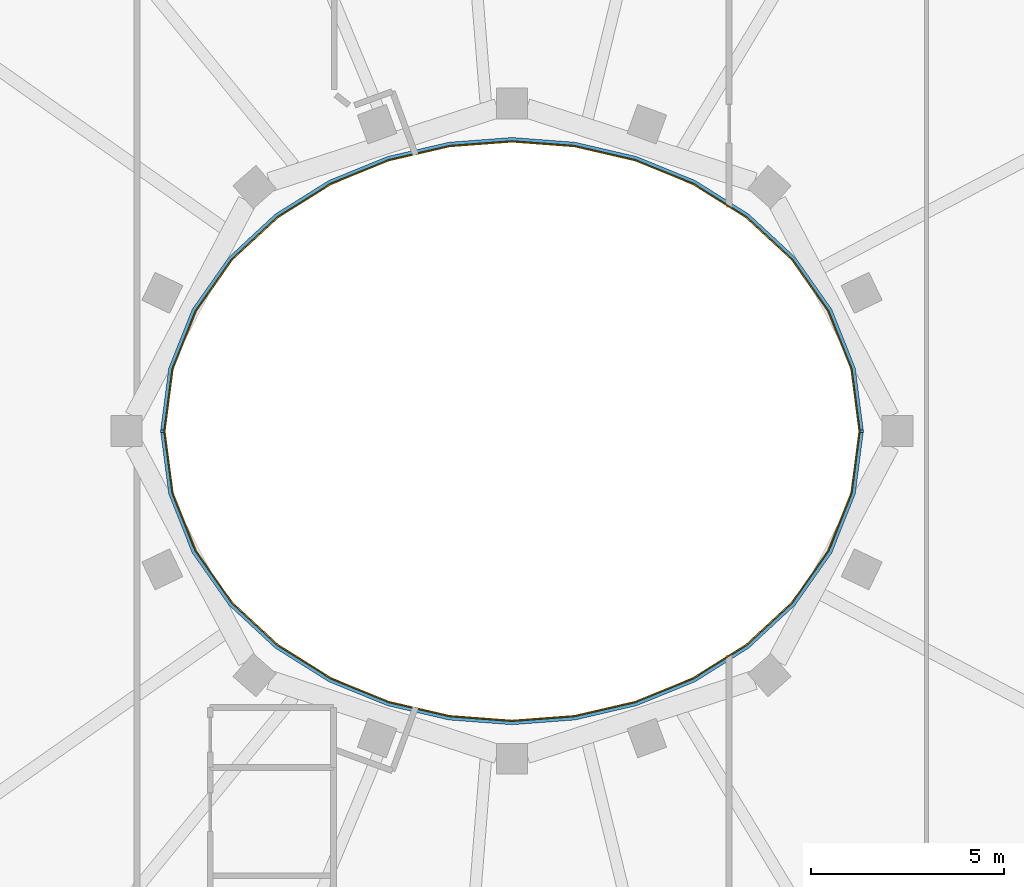
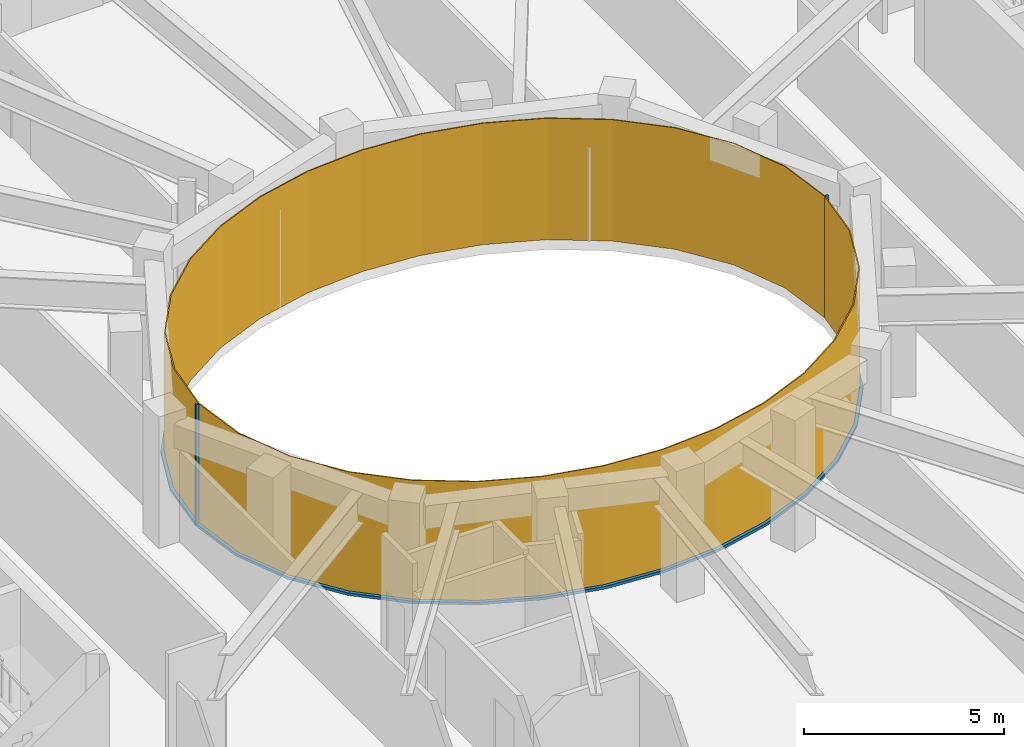
# One storey, part 9 of 13: 4 members, 2 curtain walls.
"""IFC4 building model written with IfcOpenShell, lengths in metres."""

import ifcopenshell
import ifcopenshell.guid

model = None  # the IFC model being written
_history = None  # IfcOwnerHistory: only IFC2X3 demands one
_inside = {}  # id of a spatial element -> (the spatial element, [elements in it])
_under = {}  # id of a project, library or spatial element -> (it, [spatial elements below it])
_declared = {}  # id of a project -> (the project, [libraries it declares])
_typed = {}  # id of a type object -> (the type object, [elements of that type])
_made_of = {}  # id of a material, layer set ... -> (it, [elements and type objects made of it])


def new_model(schema):
    """Start an empty IFC model of exactly this schema.

    Asked for "IFC4X3", IfcOpenShell would pick the latest addendum, in which some entities
    have other attributes; the version numbers below select the first issue.
    IFC2X3 requires an IfcOwnerHistory on every rooted entity: one is made here for all.
    """
    global model, _history
    if schema == "IFC4X3":
        model = ifcopenshell.file(schema_version=(4, 3, 0, 0))
    else:
        model = ifcopenshell.file(schema=schema)
    _inside.clear()
    _under.clear()
    _declared.clear()
    _typed.clear()
    _made_of.clear()
    _history = None
    if model.schema == "IFC2X3":
        org = make("IfcOrganization", Name="unknown")
        user = make(
            "IfcPersonAndOrganization",
            ThePerson=make("IfcPerson", FamilyName="unknown"),
            TheOrganization=org,
        )
        app = make(
            "IfcApplication",
            ApplicationDeveloper=org,
            Version="unknown",
            ApplicationFullName="unknown",
            ApplicationIdentifier="unknown",
        )
        _history = make(
            "IfcOwnerHistory",
            OwningUser=user,
            OwningApplication=app,
            ChangeAction="ADDED",
            CreationDate=0,
        )
    return model


def make(cls, **values):
    """One entity of the class cls with the attributes given. An attribute that is None is left unset."""
    return model.create_entity(
        cls, **{name: value for name, value in values.items() if value is not None}
    )


def rooted(cls, **values):
    """An entity with a GlobalId (a new one), such as an element, a storey or a relation."""
    return make(cls, GlobalId=ifcopenshell.guid.new(), OwnerHistory=_history, **values)


def si_unit(unit_type, name, prefix=None):
    """IfcSIUnit, for example si_unit("LENGTHUNIT", "METRE", prefix="MILLI")."""
    return make("IfcSIUnit", UnitType=unit_type, Prefix=prefix, Name=name)


def assignment(units):
    """IfcUnitAssignment: the units of a project."""
    return None if units is None else make("IfcUnitAssignment", Units=units)


def point(xyz):
    """IfcCartesianPoint."""
    return None if xyz is None else make("IfcCartesianPoint", Coordinates=xyz)


def direction(xyz):
    """IfcDirection."""
    return None if xyz is None else make("IfcDirection", DirectionRatios=xyz)


def frame(location, z_axis=None, x_axis=None):
    """IfcAxis2Placement3D, a coordinate frame: its origin and axes. An axis left out is left unset."""
    return make(
        "IfcAxis2Placement3D",
        Location=point(location),
        Axis=direction(z_axis),
        RefDirection=direction(x_axis),
    )


def frame_2d(location, x_axis=None):
    """IfcAxis2Placement2D, a coordinate frame in the plane: its origin and x axis."""
    return make(
        "IfcAxis2Placement2D", Location=point(location), RefDirection=direction(x_axis)
    )


def origin():
    """The frame at (0, 0, 0) with its axes left unset."""
    return frame((0.0, 0.0, 0.0))


def origin_2d():
    """The frame at (0, 0) in the plane with its x axis left unset."""
    return frame_2d((0.0, 0.0))


def place(relative_to, where):
    """IfcLocalPlacement: puts the frame where relative to a parent placement (None: the world)."""
    return make(
        "IfcLocalPlacement", PlacementRelTo=relative_to, RelativePlacement=where
    )


def context(
    kind, dimensions, precision=None, world=None, true_north=None, identifier=None
):
    """IfcGeometricRepresentationContext, for example the 3D "Model" context."""
    return make(
        "IfcGeometricRepresentationContext",
        ContextIdentifier=identifier,
        ContextType=kind,
        CoordinateSpaceDimension=dimensions,
        Precision=precision,
        WorldCoordinateSystem=world,
        TrueNorth=true_north,
    )


def subcontext(parent, identifier, kind, view, scale=None):
    """IfcGeometricRepresentationSubContext, for example "Body" below "Model"."""
    return make(
        "IfcGeometricRepresentationSubContext",
        ContextIdentifier=identifier,
        ContextType=kind,
        ParentContext=parent,
        TargetScale=scale,
        TargetView=view,
    )


def project(units=None, contexts=None):
    """IfcProject with its units and contexts."""
    return rooted(
        "IfcProject",
        Name="project",
        RepresentationContexts=contexts,
        UnitsInContext=assignment(units),
    )


def spatial(cls, under=None, at=None, **own):
    """A site, building, storey or space (cls), placed at a placement, below another one or the project."""
    s = rooted(cls, ObjectPlacement=at, **own)
    if under is not None:
        _under.setdefault(under.id(), (under, []))[1].append(s)
    return s


def polyline(points):
    """IfcPolyline through the points."""
    return make("IfcPolyline", Points=[point(p) for p in points])


def profile(cls, at=None, kind="AREA", **sizes):
    """A parametric profile (cls). Its sizes go by their IFC names, for example OverallWidth=200.0."""
    return make(cls, ProfileType=kind, Position=at, **sizes)


def rectangle(**sizes):
    """IfcRectangleProfileDef."""
    return profile("IfcRectangleProfileDef", **sizes)


def outline(outer, holes=None, kind="AREA"):
    """IfcArbitraryClosedProfileDef: a profile drawn as a closed curve; with holes, ...WithVoids."""
    if holes is None:
        return make("IfcArbitraryClosedProfileDef", ProfileType=kind, OuterCurve=outer)
    return make(
        "IfcArbitraryProfileDefWithVoids",
        ProfileType=kind,
        OuterCurve=outer,
        InnerCurves=holes,
    )


def extrude(swept, where, along, depth):
    """IfcExtrudedAreaSolid: the profile swept, set in the frame where, extruded along a direction by depth."""
    return make(
        "IfcExtrudedAreaSolid",
        SweptArea=swept,
        Position=where,
        ExtrudedDirection=direction(along),
        Depth=depth,
    )


def shape(context_of_items, identifier, shape_type, items):
    """IfcShapeRepresentation: the items that make up one representation, for example the "Body"."""
    return make(
        "IfcShapeRepresentation",
        ContextOfItems=context_of_items,
        RepresentationIdentifier=identifier,
        RepresentationType=shape_type,
        Items=items,
    )


def material(Name=None, Category=None):
    """IfcMaterial."""
    return make("IfcMaterial", Name=Name, Category=Category)


def layer(
    of_material, thickness, ventilated=None, Name=None, Category=None, Priority=None
):
    """IfcMaterialLayer: one layer of a wall or slab, of a material (None: an air gap)."""
    return make(
        "IfcMaterialLayer",
        Material=of_material,
        LayerThickness=thickness,
        IsVentilated=ventilated,
        Name=Name,
        Category=Category,
        Priority=Priority,
    )


def layer_set(layers, Name=None):
    """IfcMaterialLayerSet."""
    return make("IfcMaterialLayerSet", MaterialLayers=layers, LayerSetName=Name)


def material_profile(
    of_material, cross_section, Name=None, Category=None, Priority=None
):
    """IfcMaterialProfile: a cross section and its material."""
    return make(
        "IfcMaterialProfile",
        Name=Name,
        Material=of_material,
        Profile=cross_section,
        Priority=Priority,
        Category=Category,
    )


def profile_set(profiles, Name=None, composite=None):
    """IfcMaterialProfileSet."""
    return make(
        "IfcMaterialProfileSet",
        Name=Name,
        MaterialProfiles=profiles,
        CompositeProfile=composite,
    )


def made_of(thing, what):
    """Note that an element or type object is made of a material, layer set ...; save() writes the relation."""
    if what is not None:
        _made_of.setdefault(what.id(), (what, []))[1].append(thing)
    return thing


def type_object(cls, material=None, **own):
    """A type object (cls), such as IfcWallType, which elements share."""
    return made_of(rooted(cls, **own), material)


def element(
    cls,
    number,
    at=None,
    inside=None,
    cuts=None,
    type_object=None,
    material=None,
    context=None,
    identifier="Body",
    shape_type=None,
    held_by="IfcProductDefinitionShape",
    body=None,
    shapes=None,
    **own,
):
    """One element of the class cls, such as IfcWall. Its Tag is "e" and its number.

    at: its placement. inside: the storey or other place that contains it. cuts: it is an
    opening in that element (IfcRelVoidsElement). A single representation is given by context,
    identifier, shape_type and body (its items); several are given by shapes. held_by: the class
    of the entity that holds the representations. save() writes the other relations.
    """
    e = rooted(cls, Tag="e%d" % number, ObjectPlacement=at, **own)
    if body is not None:
        shapes = [shape(context, identifier, shape_type, body)]
    if shapes is not None:
        e.Representation = make(held_by, Representations=shapes)
    if inside is not None:
        _inside.setdefault(inside.id(), (inside, []))[1].append(e)
    if cuts is not None:
        rooted(
            "IfcRelVoidsElement", RelatingBuildingElement=cuts, RelatedOpeningElement=e
        )
    if type_object is not None:
        _typed.setdefault(type_object.id(), (type_object, []))[1].append(e)
    return made_of(e, material)


def aggregate(whole, parts):
    """IfcRelAggregates: a whole, such as a stair, and the parts it consists of."""
    return rooted("IfcRelAggregates", RelatingObject=whole, RelatedObjects=parts)


def save(model, path):
    """Write the relations noted so far, then the file.

    IfcRelAggregates (storeys below a building ...), IfcRelContainedInSpatialStructure (elements
    in a storey), IfcRelDefinesByType, IfcRelAssociatesMaterial and IfcRelDeclares: one each for
    every whole, place, type object, material and project.
    """
    for whole, parts in _under.values():
        aggregate(whole, parts)
    for where, things in _inside.values():
        rooted(
            "IfcRelContainedInSpatialStructure",
            RelatedElements=things,
            RelatingStructure=where,
        )
    for kind, things in _typed.values():
        rooted("IfcRelDefinesByType", RelatedObjects=things, RelatingType=kind)
    for what, things in _made_of.values():
        rooted("IfcRelAssociatesMaterial", RelatedObjects=things, RelatingMaterial=what)
    for by, libraries in _declared.values():
        rooted("IfcRelDeclares", RelatingContext=by, RelatedDefinitions=libraries)
    model.write(path)


model = new_model("IFC4")

# Units and contexts
model_context = context("Model", 3, precision=1e-05, world=origin(), true_north=direction((0.0, 1.0)))
body_context = subcontext(model_context, "Body", "Model", "MODEL_VIEW")
ifc_project = project(units=[si_unit("LENGTHUNIT", "METRE"), si_unit("AREAUNIT", "SQUARE_METRE"), si_unit("VOLUMEUNIT", "CUBIC_METRE"), si_unit("PLANEANGLEUNIT", "RADIAN"), si_unit("MASSUNIT", "GRAM", prefix="KILO")], contexts=[model_context])

# Member
ifc_material_1 = material(Name="Steel S355 fire-resisting frame", Category="steel")
ifc_material_profile = material_profile(ifc_material_1, rectangle(XDim=0.090087890625, YDim=0.06005859375, at=origin_2d()), Name="90x60")
ifc_profile_set = profile_set([ifc_material_profile], Name="Steel S355 fire-resisting frame")
member_type_1 = type_object("IfcMemberType", Name="ENV-MULLION-W-90", PredefinedType="MULLION", material=ifc_profile_set)
site_placement = place(None, origin())
building_placement = place(site_placement, origin())
storey_placement = place(building_placement, frame((0.0, 0.0, 327.0)))
member_1_placement = place(storey_placement, frame((9.076904296875, 0.0, 0.0), z_axis=(0.0, 0.0, 1.0), x_axis=(1.0, 0.0, 0.0)))
member_1 = element("IfcMember", 1, at=member_1_placement, type_object=member_type_1, Name="Mullion W well vertex 01", PredefinedType="MULLION", context=body_context, shape_type="SweptSolid", body=[
    extrude(rectangle(XDim=0.090087890625, YDim=0.06005859375, at=origin_2d()), origin(), (0.0, 0.0, 1.0), 3.699951171875),
])

member_2_placement = place(storey_placement, frame((-9.076904296875, 0.0, 0.0), z_axis=(0.0, 0.0, 1.0), x_axis=(-1.0, 0.0, 0.0)))
member_2 = element("IfcMember", 2, at=member_2_placement, type_object=member_type_1, Name="Mullion W well vertex 17", PredefinedType="MULLION", context=body_context, shape_type="SweptSolid", body=[
    extrude(rectangle(XDim=0.090087890625, YDim=0.06005859375, at=origin_2d()), origin(), (0.0, 0.0, 1.0), 3.699951171875),
])

ifc_material_2 = material(Name="Steel S355 fire-resisting frame", Category="steel")
member_type_2 = type_object("IfcMemberType", Name="ENV-TRANSOM-W", PredefinedType="USERDEFINED", material=ifc_material_2)
member_3_placement = place(storey_placement, origin())
member_3 = element("IfcMember", 3, at=member_3_placement, type_object=member_type_2, Name="Transom W well 01-17", ObjectType="TRANSOM", PredefinedType="USERDEFINED", context=body_context, shape_type="SweptSolid", body=[
    extrude(outline(polyline([(9.119384765625, 0.02783203125), (8.910400390625, 1.63623046875), (8.29833984375, 3.167236328125), (7.35107421875, 4.5146484375), (6.1455078125, 5.6337890625), (4.75341796875, 6.50634765625), (3.233642578125, 7.127685546875), (1.635498046875, 7.498779296875), (0.0, 7.622314453125), (-1.635498046875, 7.498779296875), (-3.233642578125, 7.127685546875), (-4.75341796875, 6.50634765625), (-6.1455078125, 5.6337890625), (-7.35107421875, 4.5146484375), (-8.29833984375, 3.167236328125), (-8.910400390625, 1.63623046875), (-9.119384765625, 0.02783203125), (-9.02880859375, 0.02783203125), (-8.822509765625, 1.61328125), (-8.21875, 3.124267578125), (-7.282958984375, 4.455078125), (-6.090576171875, 5.56201171875), (-4.712158203125, 6.426025390625), (-3.206298828125, 7.04150390625), (-1.621826171875, 7.40966796875), (0.0, 7.531982421875), (1.621826171875, 7.40966796875), (3.206298828125, 7.04150390625), (4.712158203125, 6.426025390625), (6.090576171875, 5.56201171875), (7.282958984375, 4.455078125), (8.21875, 3.124267578125), (8.822509765625, 1.61328125), (9.02880859375, 0.02783203125), (9.119384765625, 0.02783203125)])), origin(), (0.0, 0.0, 1.0), 0.080078125),
])

member_4_placement = place(storey_placement, origin())
member_4 = element("IfcMember", 4, at=member_4_placement, type_object=member_type_2, Name="Transom W well 17-01", ObjectType="TRANSOM", PredefinedType="USERDEFINED", context=body_context, shape_type="SweptSolid", body=[
    extrude(outline(polyline([(-9.119384765625, -0.02783203125), (-8.910400390625, -1.63623046875), (-8.29833984375, -3.167236328125), (-7.35107421875, -4.5146484375), (-6.1455078125, -5.6337890625), (-4.75341796875, -6.50634765625), (-3.233642578125, -7.127685546875), (-1.635498046875, -7.498779296875), (0.0, -7.622314453125), (1.635498046875, -7.498779296875), (3.233642578125, -7.127685546875), (4.75341796875, -6.50634765625), (6.1455078125, -5.6337890625), (7.35107421875, -4.5146484375), (8.29833984375, -3.167236328125), (8.910400390625, -1.63623046875), (9.119384765625, -0.02783203125), (9.02880859375, -0.02783203125), (8.822509765625, -1.61328125), (8.21875, -3.124267578125), (7.282958984375, -4.455078125), (6.090576171875, -5.56201171875), (4.712158203125, -6.426025390625), (3.206298828125, -7.04150390625), (1.621826171875, -7.40966796875), (0.0, -7.531982421875), (-1.621826171875, -7.40966796875), (-3.206298828125, -7.04150390625), (-4.712158203125, -6.426025390625), (-6.090576171875, -5.56201171875), (-7.282958984375, -4.455078125), (-8.21875, -3.124267578125), (-8.822509765625, -1.61328125), (-9.02880859375, -0.02783203125), (-9.119384765625, -0.02783203125)])), origin(), (0.0, 0.0, 1.0), 0.080078125),
])

# Site, building, storey
site = spatial("IfcSite", under=ifc_project, at=site_placement, CompositionType="ELEMENT")
building = spatial("IfcBuilding", under=site, at=building_placement, Name="Noorbagh Ring Tower", CompositionType="ELEMENT")
storey = spatial("IfcBuildingStorey", under=building, at=storey_placement, Name="L71", CompositionType="ELEMENT", Elevation=327.0)

# Curtain wall
ifc_material_3 = material(Name="Glass fire-resisting E60 laminated", Category="glass")
ifc_layer = layer(ifc_material_3, 0.031982421875)
ifc_layer_set = layer_set([ifc_layer], Name="Glass fire-resisting E60 laminated")
curtain_wall_type = type_object("IfcCurtainWallType", Name="ENV-CW-W", PredefinedType="NOTDEFINED", material=ifc_layer_set)
curtain_wall_1_placement = place(storey_placement, origin())
curtain_wall_1 = element("IfcCurtainWall", 5, at=curtain_wall_1_placement, inside=storey, type_object=curtain_wall_type, Name="Curtain wall W W01", PredefinedType="NOTDEFINED", context=body_context, shape_type="SweptSolid", body=[
    extrude(outline(polyline([(9.0322265625, 0.0), (8.822509765625, 1.61328125), (8.21875, 3.124267578125), (7.282958984375, 4.455078125), (6.090576171875, 5.56201171875), (4.712158203125, 6.426025390625), (3.206298828125, 7.04150390625), (1.621826171875, 7.40966796875), (0.0, 7.531982421875), (-1.621826171875, 7.40966796875), (-3.206298828125, 7.04150390625), (-4.712158203125, 6.426025390625), (-6.090576171875, 5.56201171875), (-7.282958984375, 4.455078125), (-8.21875, 3.124267578125), (-8.822509765625, 1.61328125), (-9.0322265625, 0.0), (-9.0, 0.0), (-8.79150390625, 1.605224609375), (-8.1904296875, 3.10888671875), (-7.2587890625, 4.43408203125), (-6.071044921875, 5.53662109375), (-4.697509765625, 6.3974609375), (-3.196533203125, 7.010986328125), (-1.6171875, 7.3779296875), (0.0, 7.5), (1.6171875, 7.3779296875), (3.196533203125, 7.010986328125), (4.697509765625, 6.3974609375), (6.071044921875, 5.53662109375), (7.2587890625, 4.43408203125), (8.1904296875, 3.10888671875), (8.79150390625, 1.605224609375), (9.0, 0.0), (9.0322265625, 0.0)])), origin(), (0.0, 0.0, 1.0), 3.699951171875),
])

aggregate(curtain_wall_1, [member_1, member_2, member_3])

curtain_wall_2_placement = place(storey_placement, origin())
curtain_wall_2 = element("IfcCurtainWall", 6, at=curtain_wall_2_placement, inside=storey, type_object=curtain_wall_type, Name="Curtain wall W W17", PredefinedType="NOTDEFINED", context=body_context, shape_type="SweptSolid", body=[
    extrude(outline(polyline([(-9.0322265625, 0.0), (-8.822509765625, -1.61328125), (-8.21875, -3.124267578125), (-7.282958984375, -4.455078125), (-6.090576171875, -5.56201171875), (-4.712158203125, -6.426025390625), (-3.206298828125, -7.04150390625), (-1.621826171875, -7.40966796875), (0.0, -7.531982421875), (1.621826171875, -7.40966796875), (3.206298828125, -7.04150390625), (4.712158203125, -6.426025390625), (6.090576171875, -5.56201171875), (7.282958984375, -4.455078125), (8.21875, -3.124267578125), (8.822509765625, -1.61328125), (9.0322265625, 0.0), (9.0, 0.0), (8.79150390625, -1.605224609375), (8.1904296875, -3.10888671875), (7.2587890625, -4.43408203125), (6.071044921875, -5.53662109375), (4.697509765625, -6.3974609375), (3.196533203125, -7.010986328125), (1.6171875, -7.3779296875), (0.0, -7.5), (-1.6171875, -7.3779296875), (-3.196533203125, -7.010986328125), (-4.697509765625, -6.3974609375), (-6.071044921875, -5.53662109375), (-7.2587890625, -4.43408203125), (-8.1904296875, -3.10888671875), (-8.79150390625, -1.605224609375), (-9.0, 0.0), (-9.0322265625, 0.0)])), origin(), (0.0, 0.0, 1.0), 3.699951171875),
])

aggregate(curtain_wall_2, [member_4])

save(model, "model.ifc")
